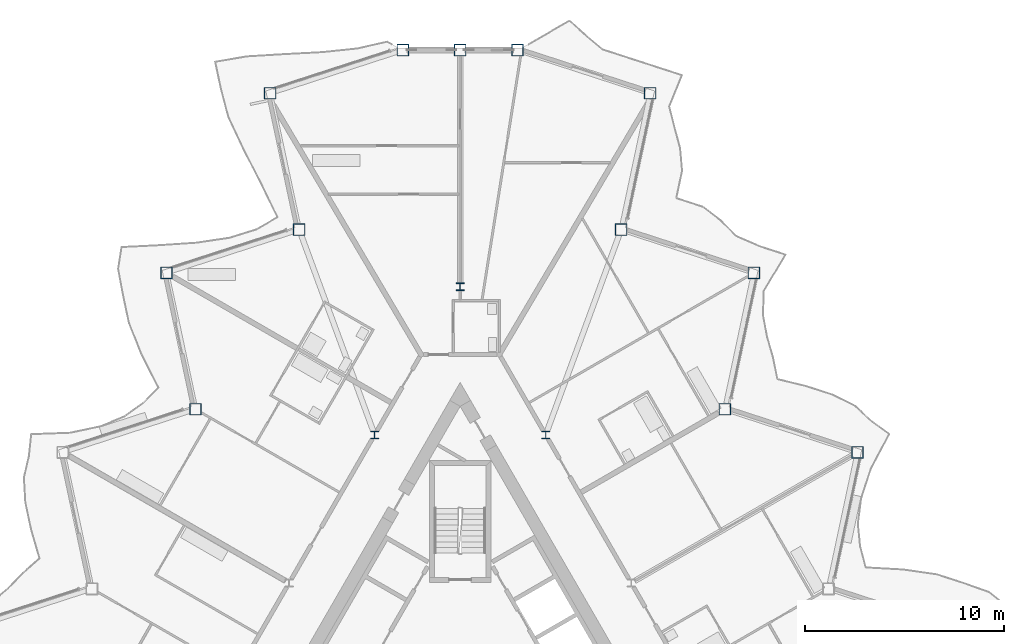
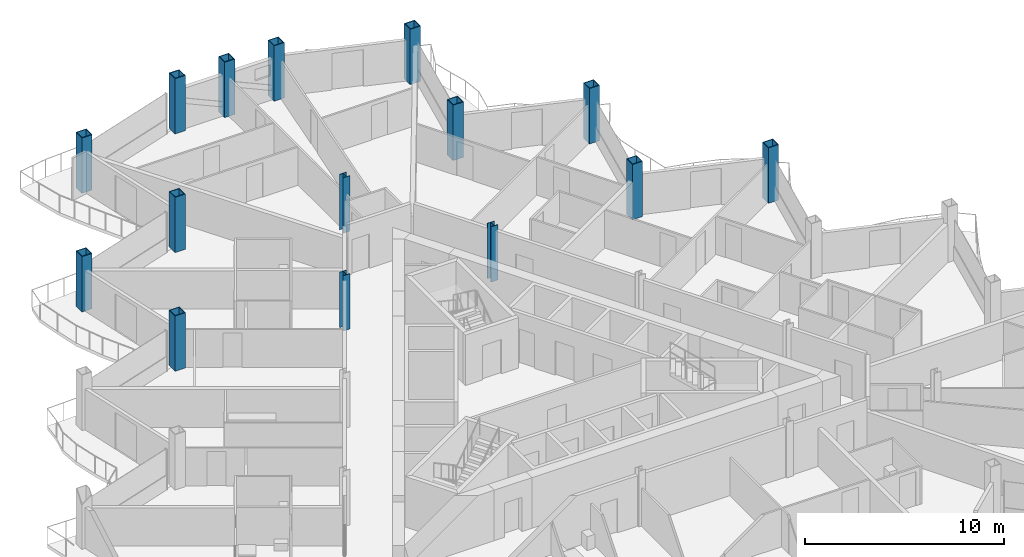
# One storey, part 3 of 27: 15 columns.
"""IFC4 building model written with IfcOpenShell, lengths in metres."""

from ifc_helpers import new_model, si_unit, direction, frame, origin, origin_2d, place, context, subcontext, project, spatial, hollow_rectangle, i_section, extrude, material, material_profile, profile_set, type_object, element, save


model = new_model("IFC4")

# Units and contexts
model_context = context("Model", 3, precision=1e-05, world=origin(), true_north=direction((0.0, 1.0)))
body_context = subcontext(model_context, "Body", "Model", "MODEL_VIEW")
ifc_project = project(units=[si_unit("LENGTHUNIT", "METRE"), si_unit("AREAUNIT", "SQUARE_METRE"), si_unit("VOLUMEUNIT", "CUBIC_METRE"), si_unit("PLANEANGLEUNIT", "RADIAN"), si_unit("MASSUNIT", "GRAM", prefix="KILO")], contexts=[model_context])

# Site, building, storey
site_placement = place(None, origin())
site = spatial("IfcSite", under=ifc_project, at=site_placement, CompositionType="ELEMENT")
building_placement = place(site_placement, origin())
building = spatial("IfcBuilding", under=site, at=building_placement, Name="Cormorant Prow Tower", CompositionType="ELEMENT")
storey_placement = place(building_placement, frame((0.0, 0.0, 332.39990234375)))
storey = spatial("IfcBuildingStorey", under=building, at=storey_placement, Name="L74", CompositionType="ELEMENT", Elevation=332.39990234375)

# Columns
ifc_material_1 = material(Name="Structural steel ASTM A572 Gr 50", Category="steel")
ifc_material_profile_1 = material_profile(ifc_material_1, hollow_rectangle(XDim=0.60009765625, YDim=0.60009765625, WallThickness=0.0400390625, at=origin_2d()), Name="Box 600x600x40")
ifc_profile_set_1 = profile_set([ifc_material_profile_1], Name="Structural steel ASTM A572 Gr 50")
column_type_1 = type_object("IfcColumnType", Name="Perimeter box column 600x600x40", PredefinedType="COLUMN", material=ifc_profile_set_1)
for number, where, z_axis, x_axis, name in (
    (1, (19.925537109375, 11.504150390625, 0.0), (0.0, 0.0, 1.0), (1.0, 0.0, 0.0), "Perimeter column C6 at ENE05 L74"),
    (2, (13.27197265625, 13.666015625, 0.0), (0.0, 0.0, 1.0), (1.0, 0.0, 0.0), "Perimeter column C6 at ENE06 L74"),
    (3, (14.7265625, 20.509033203125, 0.0), (0.0, 0.0, 1.0), (1.0, 0.0, 0.0), "Perimeter column C6 at ENE07 L74"),
    (4, (8.072998046875, 22.6708984375, 0.0), (0.0, 0.0, 1.0), (1.0, 0.0, 0.0), "Perimeter column C6 at ENE08 L74"),
    (5, (9.52734375, 29.51416015625, 0.0), (0.0, 0.0, 1.0), (1.0, 0.0, 0.0), "Perimeter column C6 at ENE09 L74"),
    (6, (2.873779296875, 31.676025390625, 0.0), (0.0, 0.0, 1.0), (1.0, 0.0, 0.0), "Perimeter column C6 at N00 L74"),
    (7, (0.0, 31.676025390625, 0.0), (0.0, 0.0, 1.0), (1.0, 0.0, 0.0), "Perimeter column C6 at N01 L74"),
    (8, (-2.873779296875, 31.676025390625, 0.0), (0.0, 0.0, 1.0), (1.0, 0.0, 0.0), "Perimeter column C6 at WNW00 L74"),
    (9, (-9.52734375, 29.51416015625, 0.0), (0.0, 0.0, 1.0), (1.0, 0.0, 0.0), "Perimeter column C6 at WNW01 L74"),
    (10, (-8.072998046875, 22.6708984375, 0.0), (0.0, 0.0, 1.0), (1.0, 0.0, 0.0), "Perimeter column C6 at WNW02 L74"),
    (11, (-14.7265625, 20.509033203125, 0.0), (0.0, 0.0, 1.0), (1.0, 0.0, 0.0), "Perimeter column C6 at WNW03 L74"),
    (12, (-13.27197265625, 13.666015625, 0.0), (0.0, 0.0, 1.0), (1.0, 0.0, 0.0), "Perimeter column C6 at WNW04 L74"),
):
    element("IfcColumn", number, at=place(storey_placement, frame(where, z_axis=z_axis, x_axis=x_axis)), inside=storey, type_object=column_type_1, Name=name, PredefinedType="COLUMN", context=body_context, shape_type="SweptSolid", body=[
        extrude(hollow_rectangle(XDim=0.60009765625, YDim=0.60009765625, WallThickness=0.0400390625, at=origin_2d()), origin(), (0.0, 0.0, 1.0), 3.400146484375),
    ])
ifc_material_2 = material(Name="Structural steel ASTM A992 Gr 50", Category="steel")
ifc_material_profile_2 = material_profile(ifc_material_2, i_section(OverallWidth=0.3955078125, OverallDepth=0.380615234375, WebThickness=0.018798828125, FlangeThickness=0.0302734375, at=origin_2d()), Name="W14x159")
ifc_profile_set_2 = profile_set([ifc_material_profile_2], Name="Structural steel ASTM A992 Gr 50")
column_type_2 = type_object("IfcColumnType", Name="Ring column W14x159", PredefinedType="COLUMN", material=ifc_profile_set_2)
for number, where, z_axis, x_axis, name in (
    (13, (0.0, 19.81103515625, 0.0), (0.0, 0.0, 1.0), (1.0, 0.0, 0.0), "Ring column 1 L74"),
    (14, (-4.289306640625, 12.3818359375, 0.0), (0.0, 0.0, 1.0), (1.0, 0.0, 0.0), "Ring column 2 L74"),
    (15, (4.289306640625, 12.3818359375, 0.0), (0.0, 0.0, 1.0), (1.0, 0.0, 0.0), "Ring column 12 L74"),
):
    element("IfcColumn", number, at=place(storey_placement, frame(where, z_axis=z_axis, x_axis=x_axis)), inside=storey, type_object=column_type_2, Name=name, PredefinedType="COLUMN", context=body_context, shape_type="SweptSolid", body=[
        extrude(i_section(OverallWidth=0.3955078125, OverallDepth=0.380615234375, WebThickness=0.018798828125, FlangeThickness=0.0302734375, at=origin_2d()), origin(), (0.0, 0.0, 1.0), 3.400146484375),
    ])

save(model, "model.ifc")
